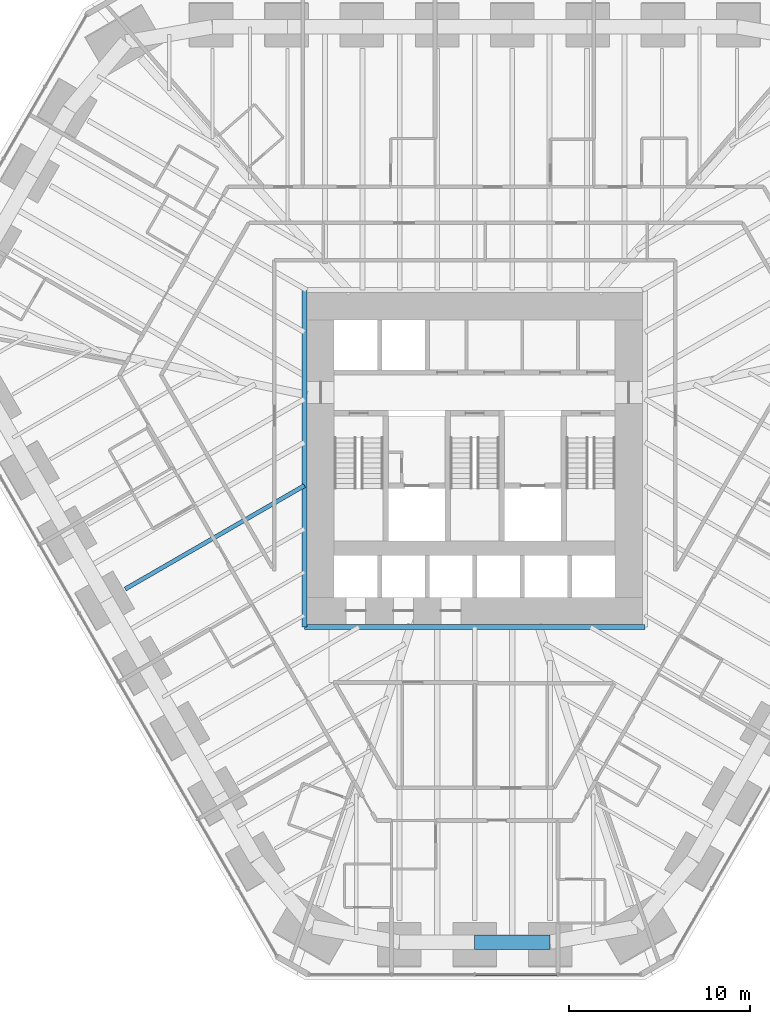
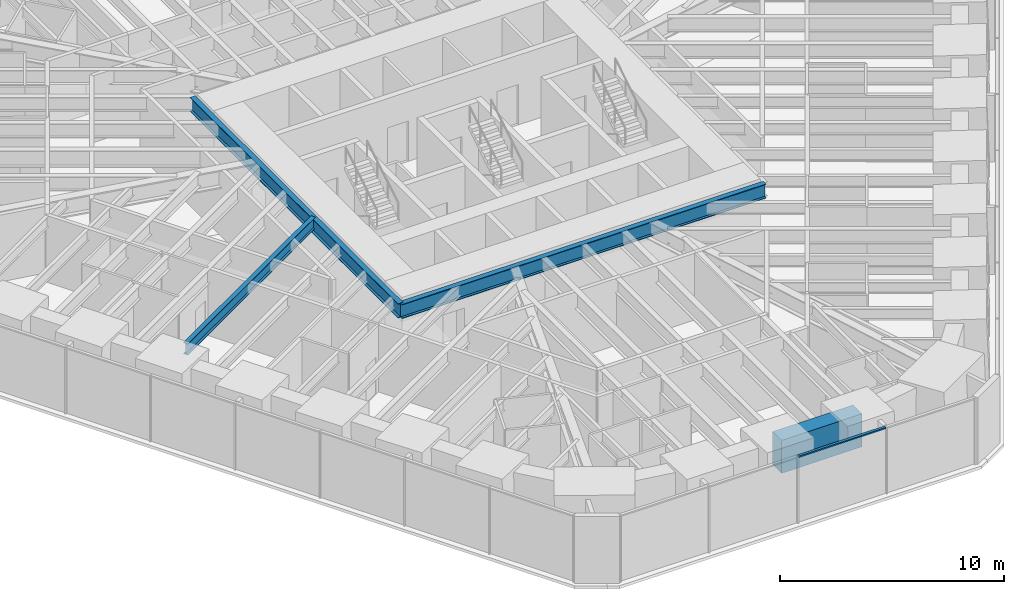
# One storey, part 4 of 17: 4 beams, 1 member, 1 element without a shape of its own.
"""IFC4 building model written with IfcOpenShell, lengths in metres."""

from ifc_helpers import new_model, si_unit, direction, frame, origin, origin_2d, place, context, subcontext, project, spatial, rectangle, i_section, extrude, material, material_profile, profile_set, type_object, element, aggregate, save


model = new_model("IFC4")

# Units and contexts
model_context = context("Model", 3, precision=1e-05, world=origin(), true_north=direction((0.0, 1.0)))
body_context = subcontext(model_context, "Body", "Model", "MODEL_VIEW")
ifc_project = project(units=[si_unit("LENGTHUNIT", "METRE"), si_unit("AREAUNIT", "SQUARE_METRE"), si_unit("VOLUMEUNIT", "CUBIC_METRE"), si_unit("PLANEANGLEUNIT", "RADIAN"), si_unit("MASSUNIT", "GRAM", prefix="KILO")], contexts=[model_context])

# Site, building, storey
site_placement = place(None, origin())
site = spatial("IfcSite", under=ifc_project, at=site_placement, CompositionType="ELEMENT")
building_placement = place(site_placement, origin())
building = spatial("IfcBuilding", under=site, at=building_placement, Name="Sandreach Pilgrim Tower", CompositionType="ELEMENT")
storey_placement = place(building_placement, frame((0.0, 0.0, 64.800048828125)))
storey = spatial("IfcBuildingStorey", under=building, at=storey_placement, Name="L15", CompositionType="ELEMENT", Elevation=64.800048828125)

# Curtain wall, member
ifc_material_1 = material(Name="Aluminium framed curtain wall", Category="aluminium")
curtain_wall_type = type_object("IfcCurtainWallType", Name="Hostel tower curtain wall", PredefinedType="NOTDEFINED", material=ifc_material_1)
curtain_wall_placement = place(storey_placement, origin())
curtain_wall = element("IfcCurtainWall", 1, at=curtain_wall_placement, inside=storey, type_object=curtain_wall_type, Name="CW-1 L15 S", PredefinedType="NOTDEFINED")
ifc_material_2 = material(Name="Aluminium extrusion", Category="aluminium")
ifc_material_profile_1 = material_profile(ifc_material_2, rectangle(XDim=0.139892578125, YDim=0.070068359375, at=origin_2d()), Name="CW-1T 140X70")
ifc_profile_set_1 = profile_set([ifc_material_profile_1], Name="Aluminium extrusion")
member_type = type_object("IfcMemberType", Name="CW-1 transom", PredefinedType="USERDEFINED", material=ifc_profile_set_1)
member_placement = place(storey_placement, frame((4.553466796875, -30.010986328125, 3.60498046875), z_axis=(-1.0, 0.0, 0.0), x_axis=(0.0, -1.0, 0.0)))
member = element("IfcMember", 2, at=member_placement, type_object=member_type, Name="CW-1 head transom 2", ObjectType="TRANSOM", PredefinedType="USERDEFINED", context=body_context, shape_type="SweptSolid", body=[
    extrude(rectangle(XDim=0.139892578125, YDim=0.070068359375, at=origin_2d()), origin(), (0.0, 0.0, 1.0), 4.52099609375),
])
aggregate(curtain_wall, [member])

# Beams
ifc_material_3 = material(Name="Steel ASTM A992 Grade 50", Category="steel")
ifc_material_profile_2 = material_profile(ifc_material_3, i_section(OverallWidth=0.2666015625, OverallDepth=0.77978515625, WebThickness=0.0166015625, FlangeThickness=0.030029296875, at=origin_2d()), Name="W30X148")
ifc_profile_set_2 = profile_set([ifc_material_profile_2], Name="Steel ASTM A992 Grade 50")
beam_type_1 = type_object("IfcBeamType", Name="Core edge beam W30X148", PredefinedType="BEAM", material=ifc_profile_set_2)
beam_1_placement = place(storey_placement, frame((9.393310546875, -10.84326171875, 3.25), z_axis=(-1.0, 0.0, 0.0), x_axis=(0.0, -1.0, 0.0)))
element("IfcBeam", 3, at=beam_1_placement, inside=storey, type_object=beam_type_1, Name="BM L15 CES", PredefinedType="BEAM", context=body_context, shape_type="SweptSolid", body=[
    extrude(i_section(OverallWidth=0.2666015625, OverallDepth=0.77978515625, WebThickness=0.0166015625, FlangeThickness=0.030029296875, at=origin_2d()), origin(), (0.0, 0.0, 1.0), 18.78662109375),
])
beam_2_placement = place(storey_placement, frame((-9.393310546875, -10.84326171875, 3.25), z_axis=(0.0, 1.0, 0.0), x_axis=(-1.0, 0.0, 0.0)))
element("IfcBeam", 4, at=beam_2_placement, inside=storey, type_object=beam_type_1, Name="BM L15 CEW", PredefinedType="BEAM", context=body_context, shape_type="SweptSolid", body=[
    extrude(i_section(OverallWidth=0.2666015625, OverallDepth=0.77978515625, WebThickness=0.0166015625, FlangeThickness=0.030029296875, at=origin_2d()), origin(), (0.0, 0.0, 1.0), 18.586669921875),
])
ifc_material_4 = material(Name="Steel ASTM A992 Grade 50", Category="steel")
ifc_material_profile_3 = material_profile(ifc_material_4, i_section(OverallWidth=0.23046875, OverallDepth=0.6171875, WebThickness=0.01318359375, FlangeThickness=0.022216796875, at=origin_2d()), Name="W24X94")
ifc_profile_set_3 = profile_set([ifc_material_profile_3], Name="Steel ASTM A992 Grade 50")
beam_type_2 = type_object("IfcBeamType", Name="Floor beam W24X94", PredefinedType="BEAM", material=ifc_profile_set_3)
beam_3_placement = place(storey_placement, frame((-19.280029296875, -8.74560546875, 3.331298828125), z_axis=(0.866028890243, 0.499993961228, 0.0), x_axis=(-0.499993961228, 0.866028890243, 0.0)))
element("IfcBeam", 5, at=beam_3_placement, inside=storey, type_object=beam_type_2, Name="BM L15 F31", PredefinedType="BEAM", context=body_context, shape_type="SweptSolid", body=[
    extrude(i_section(OverallWidth=0.23046875, OverallDepth=0.6171875, WebThickness=0.01318359375, FlangeThickness=0.022216796875, at=origin_2d()), origin(), (0.0, 0.0, 1.0), 11.416259765625),
])
ifc_material_5 = material(Name="Concrete 10000 psi", Category="concrete")
ifc_material_profile_4 = material_profile(ifc_material_5, rectangle(XDim=0.800048828125, YDim=1.800048828125, at=origin_2d()), Name="RC800X1800")
ifc_profile_set_4 = profile_set([ifc_material_profile_4], Name="Concrete 10000 psi")
beam_type_3 = type_object("IfcBeamType", Name="Spandrel beam RC800X1800", PredefinedType="SPANDREL", material=ifc_profile_set_4)
beam_4_placement = place(storey_placement, frame((4.1455078125, -28.227294921875, 2.739990234375), z_axis=(-1.0, 0.0, 0.0), x_axis=(0.0, -1.0, 0.0)))
element("IfcBeam", 6, at=beam_4_placement, inside=storey, type_object=beam_type_3, Name="BM L15 SP23", PredefinedType="SPANDREL", context=body_context, shape_type="SweptSolid", body=[
    extrude(rectangle(XDim=0.800048828125, YDim=1.800048828125, at=origin_2d()), origin(), (0.0, 0.0, 1.0), 4.1455078125),
])

save(model, "model.ifc")
